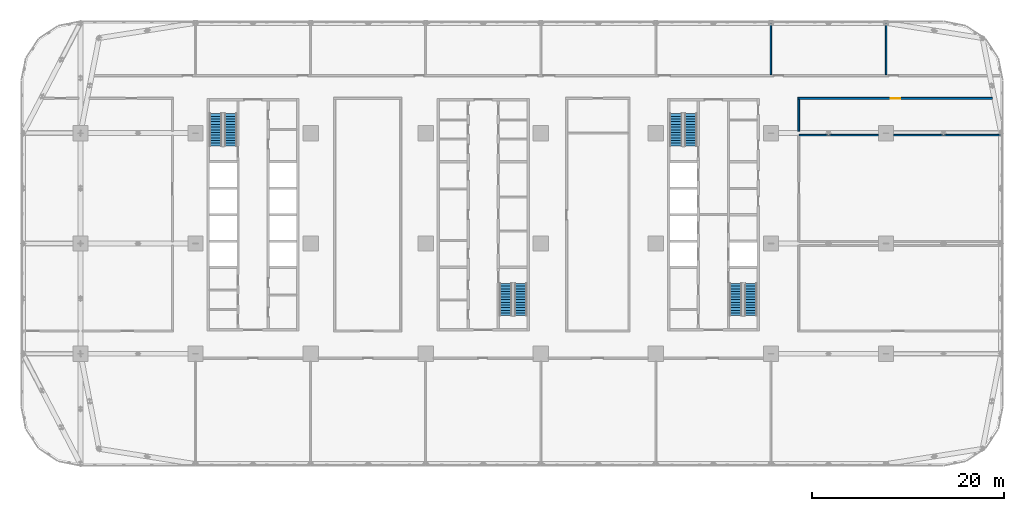
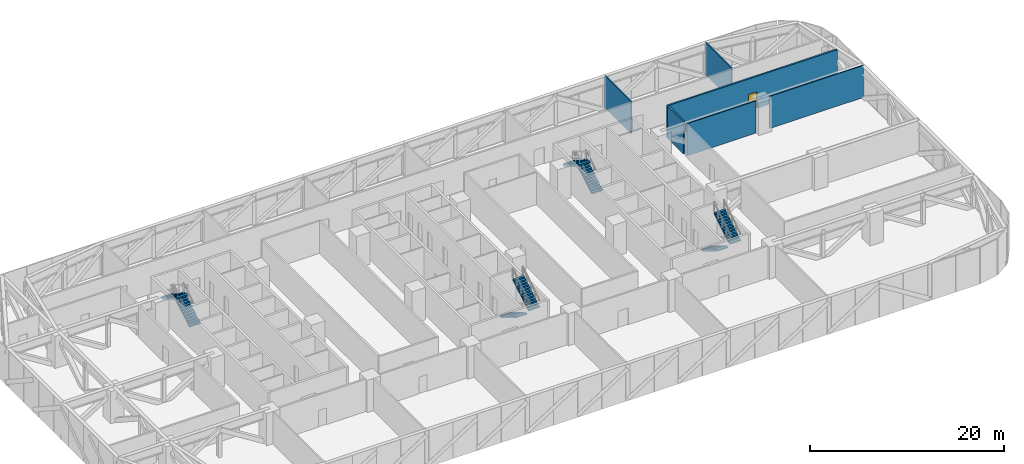
# One storey, part 13 of 25: 8 stair flights, 6 walls, 1 door, 1 opening, 4 elements without a shape of their own.
"""IFC4 building model written with IfcOpenShell, lengths in metres."""

from ifc_helpers import new_model, si_unit, direction, frame, frame_2d, origin, place, context, subcontext, project, spatial, polyline, rectangle, outline, extrude, material, layer, layer_set, type_object, element, fill, aggregate, save


model = new_model("IFC4")

# Units and contexts
model_context = context("Model", 3, precision=1e-05, world=origin(), true_north=direction((0.0, 1.0)))
body_context = subcontext(model_context, "Body", "Model", "MODEL_VIEW")
ifc_project = project(units=[si_unit("LENGTHUNIT", "METRE"), si_unit("AREAUNIT", "SQUARE_METRE"), si_unit("VOLUMEUNIT", "CUBIC_METRE"), si_unit("PLANEANGLEUNIT", "RADIAN"), si_unit("MASSUNIT", "GRAM", prefix="KILO")], contexts=[model_context])

# Site, building, storey
site_placement = place(None, origin())
site = spatial("IfcSite", under=ifc_project, at=site_placement, CompositionType="ELEMENT")
building_placement = place(site_placement, origin())
building = spatial("IfcBuilding", under=site, at=building_placement, Name="Mahtab Terrace Research Tower", CompositionType="ELEMENT")
storey_placement = place(building_placement, frame((0.0, 0.0, 41.60009765625)))
storey = spatial("IfcBuildingStorey", under=building, at=storey_placement, Name="L09", CompositionType="ELEMENT", Elevation=41.60009765625)

# Wall, opening, door
ifc_material_1 = material(Name="Gypsum board corridor wall on steel studs", Category="steel")
ifc_layer_1 = layer(ifc_material_1, 0.199951171875)
ifc_layer_set_1 = layer_set([ifc_layer_1], Name="WALL CORRIDOR 200")
wall_type_1 = type_object("IfcWallType", Name="WALL CORRIDOR 200", PredefinedType="PARTITIONING", material=ifc_layer_set_1)
wall_1_placement = place(storey_placement, frame((32.800048828125, 15.125, 0.0), z_axis=(0.0, 0.0, 1.0), x_axis=(1.0, 0.0, 0.0)))
wall_1 = element("IfcWall", 1, at=wall_1_placement, inside=storey, type_object=wall_type_1, Name="L09-W022", PredefinedType="PARTITIONING", context=body_context, shape_type="SweptSolid", body=[
    extrude(rectangle(XDim=20.28759765625, YDim=0.199951171875, at=frame_2d((10.143798828125, 0.0))), origin(), (0.0, 0.0, 1.0), 4.059814453125),
])
opening_placement = place(wall_1_placement, frame((9.699951171875, 0.0, 0.0)))
opening = element("IfcOpeningElement", 2, at=opening_placement, cuts=wall_1, Name="Opening L09-116", PredefinedType="OPENING", context=body_context, shape_type="SweptSolid", body=[
    extrude(rectangle(XDim=1.0, YDim=2.10009765625, at=frame_2d((0.5, 1.050048828125))), frame((0.0, 0.10986328125, 0.0), z_axis=(0.0, -1.0, 0.0), x_axis=(1.0, 0.0, 0.0)), (0.0, 0.0, 1.0), 0.219970703125),
])
ifc_material_2 = material(Name="Timber door leaf in steel frame", Category="steel")
door_type = type_object("IfcDoorType", Name="DOOR 1000X2100 FD30S", OperationType="SINGLE_SWING_LEFT", PredefinedType="DOOR", material=ifc_material_2)
door_placement = place(opening_placement, origin())
door = element("IfcDoor", 3, at=door_placement, inside=storey, type_object=door_type, Name="Door L09-116", OperationType="SINGLE_SWING_LEFT", OverallHeight=2.10009765625, OverallWidth=1.0, PredefinedType="DOOR", context=body_context, shape_type="SweptSolid", body=[
    extrude(rectangle(XDim=1.0, YDim=2.10009765625, at=frame_2d((0.5, 1.050048828125))), frame((0.0, 0.02490234375, 0.0), z_axis=(0.0, -1.0, 0.0), x_axis=(1.0, 0.0, 0.0)), (0.0, 0.0, 1.0), 0.050048828125),
])
fill(opening, door)

# Walls
wall_2_placement = place(storey_placement, frame((32.89990234375, 11.699951171875, 0.0), z_axis=(0.0, 0.0, 1.0), x_axis=(0.0, 1.0, 0.0)))
element("IfcWall", 4, at=wall_2_placement, inside=storey, type_object=wall_type_1, Name="L09-W045", PredefinedType="PARTITIONING", context=body_context, shape_type="SweptSolid", body=[
    extrude(rectangle(XDim=3.324951171875, YDim=0.199951171875, at=frame_2d((1.66259765625, 0.0))), origin(), (0.0, 0.0, 1.0), 4.059814453125),
])
ifc_material_3 = material(Name="Gypsum board partition on steel studs", Category="steel")
ifc_layer_2 = layer(ifc_material_3, 0.14990234375)
ifc_layer_set_2 = layer_set([ifc_layer_2], Name="WALL PARTITION 150")
wall_type_2 = type_object("IfcWallType", Name="WALL PARTITION 150", PredefinedType="PARTITIONING", material=ifc_layer_set_2)
wall_3_placement = place(storey_placement, frame((32.949951171875, 11.300048828125, 0.0), z_axis=(0.0, 0.0, 1.0), x_axis=(1.0, 0.0, 0.0)))
element("IfcWall", 5, at=wall_3_placement, inside=storey, type_object=wall_type_2, Name="L09-W015", PredefinedType="PARTITIONING", context=body_context, shape_type="SweptSolid", body=[
    extrude(rectangle(XDim=8.25, YDim=0.14990234375, at=frame_2d((4.125, 0.0))), origin(), (0.0, 0.0, 1.0), 4.059814453125),
])
wall_4_placement = place(storey_placement, frame((42.800048828125, 11.300048828125, 0.0), z_axis=(0.0, 0.0, 1.0), x_axis=(1.0, 0.0, 0.0)))
element("IfcWall", 6, at=wall_4_placement, inside=storey, type_object=wall_type_2, Name="L09-W016", PredefinedType="PARTITIONING", context=body_context, shape_type="SweptSolid", body=[
    extrude(rectangle(XDim=11.199951171875, YDim=0.14990234375, at=frame_2d((5.60009765625, 0.0))), origin(), (0.0, 0.0, 1.0), 4.059814453125),
])
for number, where, z_axis, x_axis, name in (
    (7, (30.0, 17.60009765625, 0.0), (0.0, 0.0, 1.0), (0.0, 1.0, 0.0), "L09-W042"),
    (8, (42.0, 17.60009765625, 0.0), (0.0, 0.0, 1.0), (0.0, 1.0, 0.0), "L09-W046"),
):
    element("IfcWall", number, at=place(storey_placement, frame(where, z_axis=z_axis, x_axis=x_axis)), inside=storey, type_object=wall_type_2, Name=name, PredefinedType="PARTITIONING", context=body_context, shape_type="SweptSolid", body=[
        extrude(rectangle(XDim=5.39990234375, YDim=0.14990234375, at=frame_2d((2.699951171875, 0.0))), origin(), (0.0, 0.0, 1.0), 4.059814453125),
    ])

# Stair, stair flights
ifc_material_4 = material(Name="Exit stair half-turn")
stair_type = type_object("IfcStairType", Name="Exit stair half-turn", PredefinedType="HALF_TURN_STAIR", material=ifc_material_4)
stair_1_placement = place(storey_placement, origin())
stair_1 = element("IfcStair", 9, at=stair_1_placement, inside=storey, type_object=stair_type, Name="L09 Protected exit stair ST1", PredefinedType="HALF_TURN_STAIR")
ifc_material_5 = material(Name="Concrete C40/50", Category="concrete")
stair_flight_type = type_object("IfcStairFlightType", Name="Exit stair flight 1300", PredefinedType="STRAIGHT", material=ifc_material_5)
stair_flight_1_placement = place(storey_placement, frame((-26.35009765625, 10.175048828125, 0.0), z_axis=(0.0, 0.0, 1.0), x_axis=(0.0, 1.0, 0.0)))
stair_flight_1 = element("IfcStairFlight", 10, at=stair_flight_1_placement, type_object=stair_flight_type, Name="ST1 flight 1", NumberOfRisers=13, NumberOfTreads=12, PredefinedType="STRAIGHT", RiserHeight=0.169230769, TreadLength=0.28, context=body_context, shape_type="SweptSolid", body=[
    extrude(outline(polyline([(0.0, 0.0), (0.0, 0.169189453125), (0.280029296875, 0.169189453125), (0.280029296875, 0.33837890625), (0.56005859375, 0.33837890625), (0.56005859375, 0.5078125), (0.840087890625, 0.5078125), (0.840087890625, 0.677001953125), (1.1201171875, 0.677001953125), (1.1201171875, 0.84619140625), (1.39990234375, 0.84619140625), (1.39990234375, 1.015380859375), (1.679931640625, 1.015380859375), (1.679931640625, 1.1845703125), (1.9599609375, 1.1845703125), (1.9599609375, 1.353759765625), (2.239990234375, 1.353759765625), (2.239990234375, 1.523193359375), (2.52001953125, 1.523193359375), (2.52001953125, 1.6923828125), (2.800048828125, 1.6923828125), (2.800048828125, 1.861572265625), (3.080078125, 1.861572265625), (3.080078125, 2.03076171875), (3.360107421875, 2.03076171875), (3.360107421875, 2.199951171875), (3.360107421875, 1.855712890625), (0.289794921875, 0.0), (0.0, 0.0)])), frame((0.0, 0.64990234375, 0.0), z_axis=(0.0, -1.0, 0.0), x_axis=(1.0, 0.0, 0.0)), (0.0, 0.0, 1.0), 1.300048828125),
])
stair_flight_2_placement = place(storey_placement, frame((-27.89990234375, 13.534912109375, 2.199951171875), z_axis=(0.0, 0.0, 1.0), x_axis=(0.0, -1.0, 0.0)))
stair_flight_2 = element("IfcStairFlight", 11, at=stair_flight_2_placement, type_object=stair_flight_type, Name="ST1 flight 2", NumberOfRisers=13, NumberOfTreads=12, PredefinedType="STRAIGHT", RiserHeight=0.169230769, TreadLength=0.28, context=body_context, shape_type="SweptSolid", body=[
    extrude(outline(polyline([(0.0, 0.0), (0.0, 0.169189453125), (0.280029296875, 0.169189453125), (0.280029296875, 0.33837890625), (0.56005859375, 0.33837890625), (0.56005859375, 0.5078125), (0.840087890625, 0.5078125), (0.840087890625, 0.677001953125), (1.1201171875, 0.677001953125), (1.1201171875, 0.84619140625), (1.39990234375, 0.84619140625), (1.39990234375, 1.015380859375), (1.679931640625, 1.015380859375), (1.679931640625, 1.1845703125), (1.9599609375, 1.1845703125), (1.9599609375, 1.353759765625), (2.239990234375, 1.353759765625), (2.239990234375, 1.523193359375), (2.52001953125, 1.523193359375), (2.52001953125, 1.6923828125), (2.800048828125, 1.6923828125), (2.800048828125, 1.861572265625), (3.080078125, 1.861572265625), (3.080078125, 2.03076171875), (3.360107421875, 2.03076171875), (3.360107421875, 2.199951171875), (3.360107421875, 1.855712890625), (0.289794921875, 0.0), (0.0, 0.0)])), frame((0.0, 0.64990234375, 0.0), z_axis=(0.0, -1.0, 0.0), x_axis=(1.0, 0.0, 0.0)), (0.0, 0.0, 1.0), 1.300048828125),
])
aggregate(stair_1, [stair_flight_1, stair_flight_2])

stair_2_placement = place(storey_placement, origin())
stair_2 = element("IfcStair", 12, at=stair_2_placement, inside=storey, type_object=stair_type, Name="L09 Protected exit stair ST2", PredefinedType="HALF_TURN_STAIR")
stair_flight_3_placement = place(storey_placement, frame((2.35009765625, -4.175048828125, 0.0), z_axis=(0.0, 0.0, 1.0), x_axis=(0.0, -1.0, 0.0)))
stair_flight_3 = element("IfcStairFlight", 13, at=stair_flight_3_placement, type_object=stair_flight_type, Name="ST2 flight 1", NumberOfRisers=13, NumberOfTreads=12, PredefinedType="STRAIGHT", RiserHeight=0.169230769, TreadLength=0.28, context=body_context, shape_type="SweptSolid", body=[
    extrude(outline(polyline([(0.0, 0.0), (0.0, 0.169189453125), (0.280029296875, 0.169189453125), (0.280029296875, 0.33837890625), (0.56005859375, 0.33837890625), (0.56005859375, 0.5078125), (0.840087890625, 0.5078125), (0.840087890625, 0.677001953125), (1.1201171875, 0.677001953125), (1.1201171875, 0.84619140625), (1.39990234375, 0.84619140625), (1.39990234375, 1.015380859375), (1.679931640625, 1.015380859375), (1.679931640625, 1.1845703125), (1.9599609375, 1.1845703125), (1.9599609375, 1.353759765625), (2.239990234375, 1.353759765625), (2.239990234375, 1.523193359375), (2.52001953125, 1.523193359375), (2.52001953125, 1.6923828125), (2.800048828125, 1.6923828125), (2.800048828125, 1.861572265625), (3.080078125, 1.861572265625), (3.080078125, 2.03076171875), (3.360107421875, 2.03076171875), (3.360107421875, 2.199951171875), (3.360107421875, 1.855712890625), (0.289794921875, 0.0), (0.0, 0.0)])), frame((0.0, 0.64990234375, 0.0), z_axis=(0.0, -1.0, 0.0), x_axis=(1.0, 0.0, 0.0)), (0.0, 0.0, 1.0), 1.300048828125),
])
stair_flight_4_placement = place(storey_placement, frame((3.89990234375, -7.534912109375, 2.199951171875), z_axis=(0.0, 0.0, 1.0), x_axis=(0.0, 1.0, 0.0)))
stair_flight_4 = element("IfcStairFlight", 14, at=stair_flight_4_placement, type_object=stair_flight_type, Name="ST2 flight 2", NumberOfRisers=13, NumberOfTreads=12, PredefinedType="STRAIGHT", RiserHeight=0.169230769, TreadLength=0.28, context=body_context, shape_type="SweptSolid", body=[
    extrude(outline(polyline([(0.0, 0.0), (0.0, 0.169189453125), (0.280029296875, 0.169189453125), (0.280029296875, 0.33837890625), (0.56005859375, 0.33837890625), (0.56005859375, 0.5078125), (0.840087890625, 0.5078125), (0.840087890625, 0.677001953125), (1.1201171875, 0.677001953125), (1.1201171875, 0.84619140625), (1.39990234375, 0.84619140625), (1.39990234375, 1.015380859375), (1.679931640625, 1.015380859375), (1.679931640625, 1.1845703125), (1.9599609375, 1.1845703125), (1.9599609375, 1.353759765625), (2.239990234375, 1.353759765625), (2.239990234375, 1.523193359375), (2.52001953125, 1.523193359375), (2.52001953125, 1.6923828125), (2.800048828125, 1.6923828125), (2.800048828125, 1.861572265625), (3.080078125, 1.861572265625), (3.080078125, 2.03076171875), (3.360107421875, 2.03076171875), (3.360107421875, 2.199951171875), (3.360107421875, 1.855712890625), (0.289794921875, 0.0), (0.0, 0.0)])), frame((0.0, 0.64990234375, 0.0), z_axis=(0.0, -1.0, 0.0), x_axis=(1.0, 0.0, 0.0)), (0.0, 0.0, 1.0), 1.300048828125),
])
aggregate(stair_2, [stair_flight_3, stair_flight_4])

stair_3_placement = place(storey_placement, origin())
stair_3 = element("IfcStair", 15, at=stair_3_placement, inside=storey, type_object=stair_type, Name="L09 Protected exit stair ST3", PredefinedType="HALF_TURN_STAIR")
stair_flight_5_placement = place(storey_placement, frame((21.64990234375, 10.175048828125, 0.0), z_axis=(0.0, 0.0, 1.0), x_axis=(0.0, 1.0, 0.0)))
stair_flight_5 = element("IfcStairFlight", 16, at=stair_flight_5_placement, type_object=stair_flight_type, Name="ST3 flight 1", NumberOfRisers=13, NumberOfTreads=12, PredefinedType="STRAIGHT", RiserHeight=0.169230769, TreadLength=0.28, context=body_context, shape_type="SweptSolid", body=[
    extrude(outline(polyline([(0.0, 0.0), (0.0, 0.169189453125), (0.280029296875, 0.169189453125), (0.280029296875, 0.33837890625), (0.56005859375, 0.33837890625), (0.56005859375, 0.5078125), (0.840087890625, 0.5078125), (0.840087890625, 0.677001953125), (1.1201171875, 0.677001953125), (1.1201171875, 0.84619140625), (1.39990234375, 0.84619140625), (1.39990234375, 1.015380859375), (1.679931640625, 1.015380859375), (1.679931640625, 1.1845703125), (1.9599609375, 1.1845703125), (1.9599609375, 1.353759765625), (2.239990234375, 1.353759765625), (2.239990234375, 1.523193359375), (2.52001953125, 1.523193359375), (2.52001953125, 1.6923828125), (2.800048828125, 1.6923828125), (2.800048828125, 1.861572265625), (3.080078125, 1.861572265625), (3.080078125, 2.03076171875), (3.360107421875, 2.03076171875), (3.360107421875, 2.199951171875), (3.360107421875, 1.855712890625), (0.289794921875, 0.0), (0.0, 0.0)])), frame((0.0, 0.64990234375, 0.0), z_axis=(0.0, -1.0, 0.0), x_axis=(1.0, 0.0, 0.0)), (0.0, 0.0, 1.0), 1.300048828125),
])
stair_flight_6_placement = place(storey_placement, frame((20.10009765625, 13.534912109375, 2.199951171875), z_axis=(0.0, 0.0, 1.0), x_axis=(0.0, -1.0, 0.0)))
stair_flight_6 = element("IfcStairFlight", 17, at=stair_flight_6_placement, type_object=stair_flight_type, Name="ST3 flight 2", NumberOfRisers=13, NumberOfTreads=12, PredefinedType="STRAIGHT", RiserHeight=0.169230769, TreadLength=0.28, context=body_context, shape_type="SweptSolid", body=[
    extrude(outline(polyline([(0.0, 0.0), (0.0, 0.169189453125), (0.280029296875, 0.169189453125), (0.280029296875, 0.33837890625), (0.56005859375, 0.33837890625), (0.56005859375, 0.5078125), (0.840087890625, 0.5078125), (0.840087890625, 0.677001953125), (1.1201171875, 0.677001953125), (1.1201171875, 0.84619140625), (1.39990234375, 0.84619140625), (1.39990234375, 1.015380859375), (1.679931640625, 1.015380859375), (1.679931640625, 1.1845703125), (1.9599609375, 1.1845703125), (1.9599609375, 1.353759765625), (2.239990234375, 1.353759765625), (2.239990234375, 1.523193359375), (2.52001953125, 1.523193359375), (2.52001953125, 1.6923828125), (2.800048828125, 1.6923828125), (2.800048828125, 1.861572265625), (3.080078125, 1.861572265625), (3.080078125, 2.03076171875), (3.360107421875, 2.03076171875), (3.360107421875, 2.199951171875), (3.360107421875, 1.855712890625), (0.289794921875, 0.0), (0.0, 0.0)])), frame((0.0, 0.64990234375, 0.0), z_axis=(0.0, -1.0, 0.0), x_axis=(1.0, 0.0, 0.0)), (0.0, 0.0, 1.0), 1.300048828125),
])
aggregate(stair_3, [stair_flight_5, stair_flight_6])

stair_4_placement = place(storey_placement, origin())
stair_4 = element("IfcStair", 18, at=stair_4_placement, inside=storey, type_object=stair_type, Name="L09 Protected exit stair ST4", PredefinedType="HALF_TURN_STAIR")
stair_flight_7_placement = place(storey_placement, frame((26.35009765625, -4.175048828125, 0.0), z_axis=(0.0, 0.0, 1.0), x_axis=(0.0, -1.0, 0.0)))
stair_flight_7 = element("IfcStairFlight", 19, at=stair_flight_7_placement, type_object=stair_flight_type, Name="ST4 flight 1", NumberOfRisers=13, NumberOfTreads=12, PredefinedType="STRAIGHT", RiserHeight=0.169230769, TreadLength=0.28, context=body_context, shape_type="SweptSolid", body=[
    extrude(outline(polyline([(0.0, 0.0), (0.0, 0.169189453125), (0.280029296875, 0.169189453125), (0.280029296875, 0.33837890625), (0.56005859375, 0.33837890625), (0.56005859375, 0.5078125), (0.840087890625, 0.5078125), (0.840087890625, 0.677001953125), (1.1201171875, 0.677001953125), (1.1201171875, 0.84619140625), (1.39990234375, 0.84619140625), (1.39990234375, 1.015380859375), (1.679931640625, 1.015380859375), (1.679931640625, 1.1845703125), (1.9599609375, 1.1845703125), (1.9599609375, 1.353759765625), (2.239990234375, 1.353759765625), (2.239990234375, 1.523193359375), (2.52001953125, 1.523193359375), (2.52001953125, 1.6923828125), (2.800048828125, 1.6923828125), (2.800048828125, 1.861572265625), (3.080078125, 1.861572265625), (3.080078125, 2.03076171875), (3.360107421875, 2.03076171875), (3.360107421875, 2.199951171875), (3.360107421875, 1.855712890625), (0.289794921875, 0.0), (0.0, 0.0)])), frame((0.0, 0.64990234375, 0.0), z_axis=(0.0, -1.0, 0.0), x_axis=(1.0, 0.0, 0.0)), (0.0, 0.0, 1.0), 1.300048828125),
])
stair_flight_8_placement = place(storey_placement, frame((27.89990234375, -7.534912109375, 2.199951171875), z_axis=(0.0, 0.0, 1.0), x_axis=(0.0, 1.0, 0.0)))
stair_flight_8 = element("IfcStairFlight", 20, at=stair_flight_8_placement, type_object=stair_flight_type, Name="ST4 flight 2", NumberOfRisers=13, NumberOfTreads=12, PredefinedType="STRAIGHT", RiserHeight=0.169230769, TreadLength=0.28, context=body_context, shape_type="SweptSolid", body=[
    extrude(outline(polyline([(0.0, 0.0), (0.0, 0.169189453125), (0.280029296875, 0.169189453125), (0.280029296875, 0.33837890625), (0.56005859375, 0.33837890625), (0.56005859375, 0.5078125), (0.840087890625, 0.5078125), (0.840087890625, 0.677001953125), (1.1201171875, 0.677001953125), (1.1201171875, 0.84619140625), (1.39990234375, 0.84619140625), (1.39990234375, 1.015380859375), (1.679931640625, 1.015380859375), (1.679931640625, 1.1845703125), (1.9599609375, 1.1845703125), (1.9599609375, 1.353759765625), (2.239990234375, 1.353759765625), (2.239990234375, 1.523193359375), (2.52001953125, 1.523193359375), (2.52001953125, 1.6923828125), (2.800048828125, 1.6923828125), (2.800048828125, 1.861572265625), (3.080078125, 1.861572265625), (3.080078125, 2.03076171875), (3.360107421875, 2.03076171875), (3.360107421875, 2.199951171875), (3.360107421875, 1.855712890625), (0.289794921875, 0.0), (0.0, 0.0)])), frame((0.0, 0.64990234375, 0.0), z_axis=(0.0, -1.0, 0.0), x_axis=(1.0, 0.0, 0.0)), (0.0, 0.0, 1.0), 1.300048828125),
])
aggregate(stair_4, [stair_flight_7, stair_flight_8])

save(model, "model.ifc")
